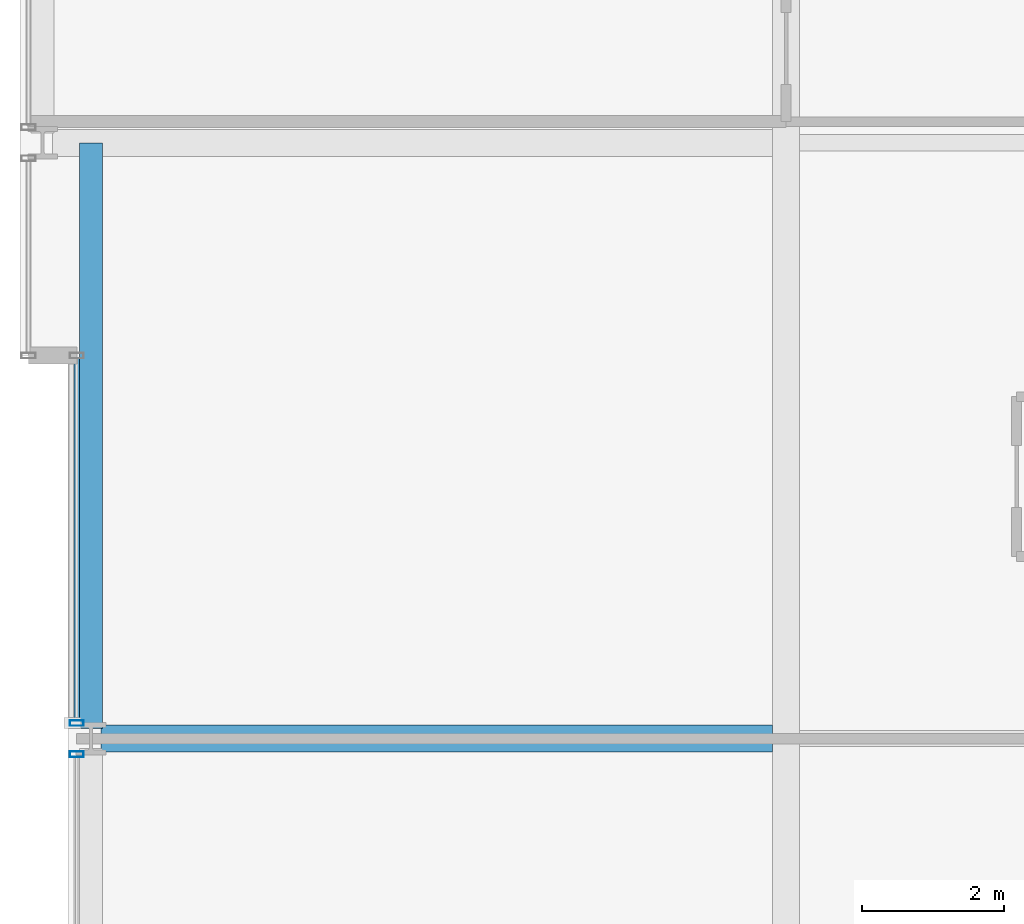
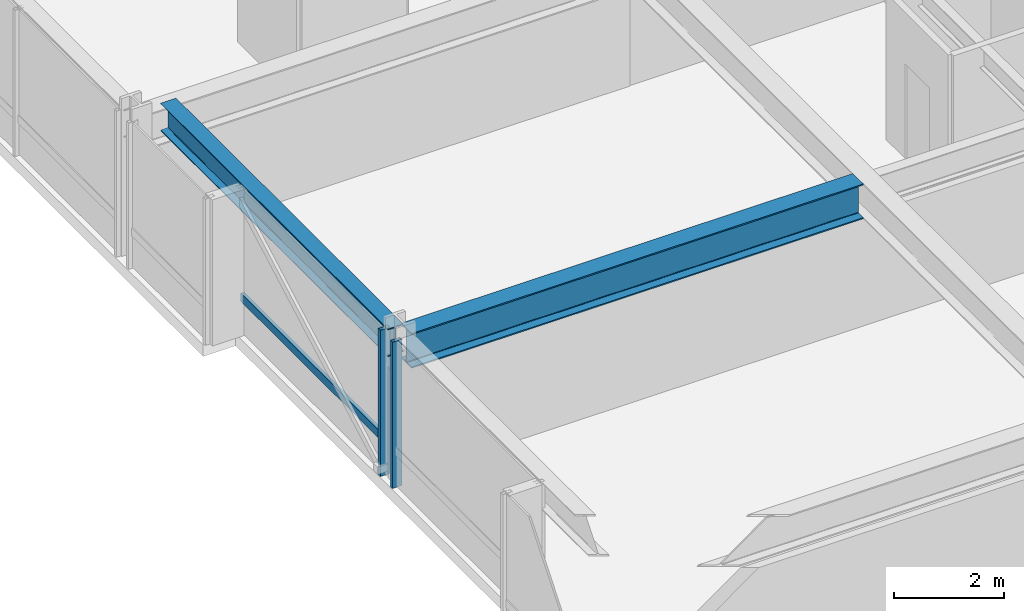
# One storey, part 9 of 34: 3 members, 2 beams, 2 elements without a shape of their own.
"""IFC4 building model written with IfcOpenShell, lengths in metres."""

from ifc_helpers import new_model, si_unit, direction, frame, origin, origin_2d, place, context, subcontext, project, spatial, hollow_rectangle, i_section, extrude, material, layer, layer_set, material_profile, profile_set, type_object, element, aggregate, save


model = new_model("IFC4")

# Units and contexts
model_context = context("Model", 3, precision=1e-05, world=origin(), true_north=direction((0.0, 1.0)))
body_context = subcontext(model_context, "Body", "Model", "MODEL_VIEW")
ifc_project = project(units=[si_unit("LENGTHUNIT", "METRE"), si_unit("AREAUNIT", "SQUARE_METRE"), si_unit("VOLUMEUNIT", "CUBIC_METRE"), si_unit("PLANEANGLEUNIT", "RADIAN"), si_unit("MASSUNIT", "GRAM", prefix="KILO")], contexts=[model_context])

# Site, building, storey
site_placement = place(None, origin())
site = spatial("IfcSite", under=ifc_project, at=site_placement, CompositionType="ELEMENT")
building_placement = place(site_placement, origin())
building = spatial("IfcBuilding", under=site, at=building_placement, Name="Drelvath Grand Hotel", CompositionType="ELEMENT")
storey_placement = place(building_placement, frame((0.0, 0.0, 116.300048828125)))
storey = spatial("IfcBuildingStorey", under=building, at=storey_placement, Name="L29", CompositionType="ELEMENT", Elevation=116.300048828125)

# Curtain wall, member
ifc_material_1 = material(Name="Champagne Bronze Anodised Aluminium Frame", Category="aluminium")
ifc_layer = layer(ifc_material_1, 0.199951171875)
ifc_layer_set = layer_set([ifc_layer], Name="Champagne Bronze Anodised Aluminium Frame")
curtain_wall_type = type_object("IfcCurtainWallType", Name="Stick Curtain Wall CW-03 Champagne Bronze Mid-Rise", PredefinedType="NOTDEFINED", material=ifc_layer_set)
curtain_wall_1_placement = place(storey_placement, origin())
curtain_wall_1 = element("IfcCurtainWall", 1, at=curtain_wall_1_placement, inside=storey, type_object=curtain_wall_type, Name="L29 CW-03 Curtain Wall CW03-L29-WM2", PredefinedType="NOTDEFINED")
ifc_material_profile_1 = material_profile(ifc_material_1, hollow_rectangle(XDim=0.074951171875, YDim=0.179931640625, WallThickness=0.0048828125, at=origin_2d()), Name="HSS180X75X5")
ifc_profile_set_1 = profile_set([ifc_material_profile_1], Name="Champagne Bronze Anodised Aluminium Frame")
member_type_1 = type_object("IfcMemberType", Name="Curtain Wall Horizontal Transom CW-03 HSS180X75X5", PredefinedType="USERDEFINED", material=ifc_profile_set_1)
member_1_placement = place(storey_placement, frame((-26.199951171875, 27.259521484375, 0.81005859375), z_axis=(0.0, 1.0, 0.0), x_axis=(-1.0, 0.0, 0.0)))
member_1 = element("IfcMember", 2, at=member_1_placement, type_object=member_type_1, Name="CW03-L29-WM2 Sill Transom", ObjectType="TRANSOM", PredefinedType="USERDEFINED", context=body_context, shape_type="SweptSolid", body=[
    extrude(hollow_rectangle(XDim=0.074951171875, YDim=0.179931640625, WallThickness=0.0048828125, at=origin_2d()), origin(), (0.0, 0.0, 1.0), 5.1005859375),
])

curtain_wall_2_placement = place(storey_placement, origin())
curtain_wall_2 = element("IfcCurtainWall", 3, at=curtain_wall_2_placement, inside=storey, type_object=curtain_wall_type, Name="L29 CW-03 Curtain Wall CW03-L29-WM1", PredefinedType="NOTDEFINED")
ifc_material_profile_2 = material_profile(ifc_material_1, hollow_rectangle(XDim=0.080078125, YDim=0.199951171875, WallThickness=0.0048828125, at=origin_2d()), Name="HSS200X80X5")
ifc_profile_set_2 = profile_set([ifc_material_profile_2], Name="Champagne Bronze Anodised Aluminium Frame")
member_type_2 = type_object("IfcMemberType", Name="Curtain Wall Vertical Mullion CW-03 HSS200X80X5", PredefinedType="MULLION", material=ifc_profile_set_2)
member_2_placement = place(storey_placement, frame((-26.199951171875, 26.780517578125, 0.0), z_axis=(0.0, 0.0, 1.0), x_axis=(0.0, 1.0, 0.0)))
member_2 = element("IfcMember", 4, at=member_2_placement, type_object=member_type_2, Name="CW03-L29-WM1 Mullion 2", PredefinedType="MULLION", context=body_context, shape_type="SweptSolid", body=[
    extrude(hollow_rectangle(XDim=0.080078125, YDim=0.199951171875, WallThickness=0.0048828125, at=origin_2d()), origin(), (0.0, 0.0, 1.0), 3.239990234375),
])
aggregate(curtain_wall_2, [member_2])

# Member
member_3_placement = place(storey_placement, frame((-26.199951171875, 27.219482421875, 0.0), z_axis=(0.0, 0.0, 1.0), x_axis=(0.0, 1.0, 0.0)))
member_3 = element("IfcMember", 5, at=member_3_placement, type_object=member_type_2, Name="CW03-L29-WM2 Mullion 1", PredefinedType="MULLION", context=body_context, shape_type="SweptSolid", body=[
    extrude(hollow_rectangle(XDim=0.080078125, YDim=0.199951171875, WallThickness=0.0048828125, at=origin_2d()), origin(), (0.0, 0.0, 1.0), 3.239990234375),
])

aggregate(curtain_wall_1, [member_3, member_1])

# Beams
ifc_material_2 = material(Name="Steel ASTM A992 Gr 50", Category="steel")
ifc_material_profile_3 = material_profile(ifc_material_2, i_section(OverallWidth=0.323974609375, OverallDepth=0.611083984375, WebThickness=0.0126953125, FlangeThickness=0.01904296875, FilletRadius=0.02197265625, at=origin_2d()), Name="W24X104")
ifc_profile_set_3 = profile_set([ifc_material_profile_3], Name="Steel ASTM A992 Gr 50")
beam_type_1 = type_object("IfcBeamType", Name="Perimeter Spandrel Beam W24X104", PredefinedType="SPANDREL", material=ifc_profile_set_3)
beam_1_placement = place(storey_placement, frame((-26.0, 27.139892578125, 2.9345703125), z_axis=(0.0, 1.0, 0.0), x_axis=(-1.0, 0.0, 0.0)))
element("IfcBeam", 6, at=beam_1_placement, inside=storey, type_object=beam_type_1, Name="L29 Spandrel West Mid N", PredefinedType="SPANDREL", context=body_context, shape_type="SweptSolid", body=[
    extrude(i_section(OverallWidth=0.323974609375, OverallDepth=0.611083984375, WebThickness=0.0126953125, FlangeThickness=0.01904296875, FilletRadius=0.02197265625, at=origin_2d()), origin(), (0.0, 0.0, 1.0), 8.260009765625),
])
ifc_material_profile_4 = material_profile(ifc_material_2, i_section(OverallWidth=0.380615234375, OverallDepth=0.773193359375, WebThickness=0.0166015625, FlangeThickness=0.027099609375, FilletRadius=0.02490234375, at=origin_2d()), Name="W30X173")
ifc_profile_set_4 = profile_set([ifc_material_profile_4], Name="Steel ASTM A992 Gr 50")
beam_type_2 = type_object("IfcBeamType", Name="Primary Floor Girder W30X173", PredefinedType="BEAM", material=ifc_profile_set_4)
beam_2_placement = place(storey_placement, frame((-25.860107421875, 27.0, 2.853271484375), z_axis=(1.0, 0.0, 0.0), x_axis=(0.0, 1.0, 0.0)))
element("IfcBeam", 7, at=beam_2_placement, inside=storey, type_object=beam_type_2, Name="L29 West Wing Girder E", PredefinedType="BEAM", context=body_context, shape_type="SweptSolid", body=[
    extrude(i_section(OverallWidth=0.380615234375, OverallDepth=0.773193359375, WebThickness=0.0166015625, FlangeThickness=0.027099609375, FilletRadius=0.02490234375, at=origin_2d()), origin(), (0.0, 0.0, 1.0), 9.4697265625),
])

save(model, "model.ifc")
